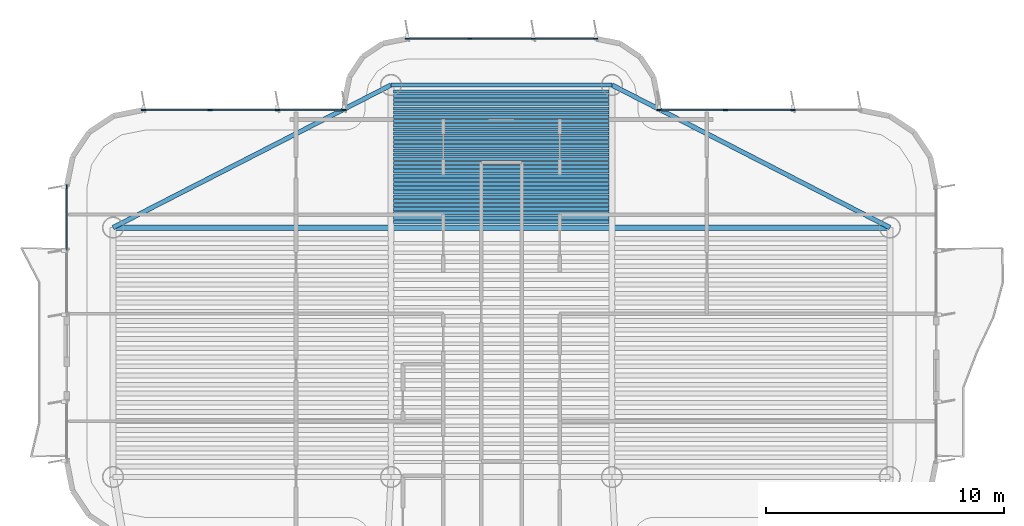
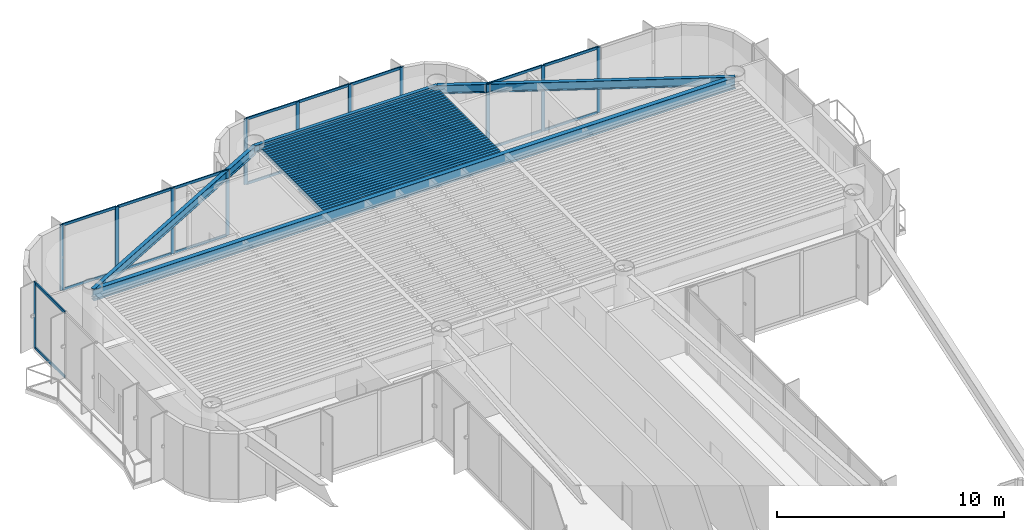
# One storey, part 7 of 15: 36 beams, 30 members, 4 elements without a shape of their own.
"""IFC4 building model written with IfcOpenShell, lengths in metres."""

from ifc_helpers import new_model, si_unit, direction, frame, origin, origin_2d, place, context, subcontext, project, spatial, rectangle, i_section, extrude, source, transform, mapped, material, layer, layer_set, material_profile, profile_set, type_object, element, aggregate, save


model = new_model("IFC4")

# Units and contexts
model_context = context("Model", 3, precision=1e-05, world=origin(), true_north=direction((0.0, 1.0)))
body_context = subcontext(model_context, "Body", "Model", "MODEL_VIEW")
ifc_project = project(units=[si_unit("LENGTHUNIT", "METRE"), si_unit("AREAUNIT", "SQUARE_METRE"), si_unit("VOLUMEUNIT", "CUBIC_METRE"), si_unit("PLANEANGLEUNIT", "RADIAN"), si_unit("MASSUNIT", "GRAM", prefix="KILO")], contexts=[model_context])

# Site, building, storey
site_placement = place(None, origin())
site = spatial("IfcSite", under=ifc_project, at=site_placement, CompositionType="ELEMENT")
building_placement = place(site_placement, origin())
building = spatial("IfcBuilding", under=site, at=building_placement, Name="Brelvock Crest Care Tower", CompositionType="ELEMENT")
storey_placement = place(building_placement, frame((0.0, 0.0, 260.820068359375)))
storey = spatial("IfcBuildingStorey", under=building, at=storey_placement, Name="L66", CompositionType="ELEMENT", Elevation=260.820068359375)

# Beams
ifc_material_1 = material(Name="Steel Grade 350", Category="steel")
ifc_material_profile_1 = material_profile(ifc_material_1, i_section(OverallWidth=0.177978515625, OverallDepth=0.406005859375, WebThickness=0.0078125, FlangeThickness=0.0126953125, FilletRadius=0.011474609375, at=origin_2d()), Name="410UB59.7")
ifc_profile_set_1 = profile_set([ifc_material_profile_1], Name="Steel Grade 350")
beam_type_1 = type_object("IfcBeamType", Name="BM-SP1", PredefinedType="SPANDREL", material=ifc_profile_set_1)
shared_shape_1 = source(origin(), body_context, "Body", "SweptSolid", [
    extrude(i_section(OverallWidth=0.177978515625, OverallDepth=0.406005859375, WebThickness=0.0078125, FlangeThickness=0.0126953125, FilletRadius=0.011474609375, at=origin_2d()), origin(), (0.0, 0.0, 1.0), 9.2998046875),
])
beam_1_placement = place(storey_placement, frame((31.35009765625, 60.449951171875, 3.326904296875), z_axis=(1.0, 0.0, 0.0), x_axis=(0.0, 1.0, 0.0)))
element("IfcBeam", 1, at=beam_1_placement, inside=storey, type_object=beam_type_1, Name="BM-TWR-L66-08", PredefinedType="SPANDREL", context=body_context, shape_type="MappedRepresentation", body=[
    mapped(shared_shape_1, transform((0.0, 0.0, 0.0), x_axis=(1.0, 0.0, 0.0), y_axis=(0.0, 1.0, 0.0), z_axis=(0.0, 0.0, 1.0), scale=1.0)),
])
ifc_material_profile_2 = material_profile(ifc_material_1, i_section(OverallWidth=0.14599609375, OverallDepth=0.256103515625, WebThickness=0.00634765625, FlangeThickness=0.010986328125, FilletRadius=0.0087890625, at=origin_2d()), Name="250UB37.3")
ifc_profile_set_2 = profile_set([ifc_material_profile_2], Name="Steel Grade 350")
beam_type_2 = type_object("IfcBeamType", Name="BM-J3", PredefinedType="JOIST", material=ifc_profile_set_2)
shared_shape_2 = source(origin(), body_context, "Body", "SweptSolid", [
    extrude(i_section(OverallWidth=0.14599609375, OverallDepth=0.256103515625, WebThickness=0.00634765625, FlangeThickness=0.010986328125, FilletRadius=0.0087890625, at=origin_2d()), origin(), (0.0, 0.0, 1.0), 9.06982421875),
])
for number, where, z_axis, x_axis, name in (
    (2, (31.465087890625, 54.68994140625, 3.40185546875), (1.0, 0.0, 0.0), (0.0, 1.0, 0.0), "BM-JN-L66-1"),
    (3, (31.465087890625, 54.866943359375, 3.40185546875), (1.0, 0.0, 0.0), (0.0, 1.0, 0.0), "BM-JN-L66-2"),
    (4, (31.465087890625, 55.0439453125, 3.40185546875), (1.0, 0.0, 0.0), (0.0, 1.0, 0.0), "BM-JN-L66-3"),
    (5, (31.465087890625, 55.220947265625, 3.40185546875), (1.0, 0.0, 0.0), (0.0, 1.0, 0.0), "BM-JN-L66-4"),
    (6, (31.465087890625, 55.39794921875, 3.40185546875), (1.0, 0.0, 0.0), (0.0, 1.0, 0.0), "BM-JN-L66-5"),
    (7, (31.465087890625, 55.574951171875, 3.40185546875), (1.0, 0.0, 0.0), (0.0, 1.0, 0.0), "BM-JN-L66-6"),
    (8, (31.465087890625, 55.751953125, 3.40185546875), (1.0, 0.0, 0.0), (0.0, 1.0, 0.0), "BM-JN-L66-7"),
    (9, (31.465087890625, 55.928955078125, 3.40185546875), (1.0, 0.0, 0.0), (0.0, 1.0, 0.0), "BM-JN-L66-8"),
    (10, (31.465087890625, 56.10595703125, 3.40185546875), (1.0, 0.0, 0.0), (0.0, 1.0, 0.0), "BM-JN-L66-9"),
    (11, (31.465087890625, 56.282958984375, 3.40185546875), (1.0, 0.0, 0.0), (0.0, 1.0, 0.0), "BM-JN-L66-10"),
    (12, (31.465087890625, 56.4599609375, 3.40185546875), (1.0, 0.0, 0.0), (0.0, 1.0, 0.0), "BM-JN-L66-11"),
    (13, (31.465087890625, 56.636962890625, 3.40185546875), (1.0, 0.0, 0.0), (0.0, 1.0, 0.0), "BM-JN-L66-12"),
    (14, (31.465087890625, 56.81396484375, 3.40185546875), (1.0, 0.0, 0.0), (0.0, 1.0, 0.0), "BM-JN-L66-13"),
):
    element("IfcBeam", number, at=place(storey_placement, frame(where, z_axis=z_axis, x_axis=x_axis)), inside=storey, type_object=beam_type_2, Name=name, PredefinedType="JOIST", context=body_context, shape_type="MappedRepresentation", body=[
        mapped(shared_shape_2, transform((0.0, 0.0, 0.0), x_axis=(1.0, 0.0, 0.0), y_axis=(0.0, 1.0, 0.0), z_axis=(0.0, 0.0, 1.0), scale=1.0)),
    ])
ifc_material_profile_3 = material_profile(ifc_material_1, i_section(OverallWidth=0.134033203125, OverallDepth=0.20703125, WebThickness=0.00634765625, FlangeThickness=0.009521484375, FilletRadius=0.0087890625, at=origin_2d()), Name="200UB29.8")
ifc_profile_set_3 = profile_set([ifc_material_profile_3], Name="Steel Grade 350")
beam_type_3 = type_object("IfcBeamType", Name="BM-J4", PredefinedType="JOIST", material=ifc_profile_set_3)
shared_shape_3 = source(origin(), body_context, "Body", "SweptSolid", [
    extrude(i_section(OverallWidth=0.134033203125, OverallDepth=0.20703125, WebThickness=0.00634765625, FlangeThickness=0.009521484375, FilletRadius=0.0087890625, at=origin_2d()), origin(), (0.0, 0.0, 1.0), 9.06982421875),
])
for number, where, z_axis, x_axis, name in (
    (15, (31.465087890625, 56.990966796875, 3.426513671875), (1.0, 0.0, 0.0), (0.0, 1.0, 0.0), "BM-JN-L66-14"),
    (16, (31.465087890625, 57.16796875, 3.426513671875), (1.0, 0.0, 0.0), (0.0, 1.0, 0.0), "BM-JN-L66-15"),
    (17, (31.465087890625, 57.344970703125, 3.426513671875), (1.0, 0.0, 0.0), (0.0, 1.0, 0.0), "BM-JN-L66-16"),
    (18, (31.465087890625, 57.52197265625, 3.426513671875), (1.0, 0.0, 0.0), (0.0, 1.0, 0.0), "BM-JN-L66-17"),
    (19, (31.465087890625, 57.698974609375, 3.426513671875), (1.0, 0.0, 0.0), (0.0, 1.0, 0.0), "BM-JN-L66-18"),
    (20, (31.465087890625, 57.8759765625, 3.426513671875), (1.0, 0.0, 0.0), (0.0, 1.0, 0.0), "BM-JN-L66-19"),
    (21, (31.465087890625, 58.052978515625, 3.426513671875), (1.0, 0.0, 0.0), (0.0, 1.0, 0.0), "BM-JN-L66-20"),
    (22, (31.465087890625, 58.22998046875, 3.426513671875), (1.0, 0.0, 0.0), (0.0, 1.0, 0.0), "BM-JN-L66-21"),
    (23, (31.465087890625, 58.406982421875, 3.426513671875), (1.0, 0.0, 0.0), (0.0, 1.0, 0.0), "BM-JN-L66-22"),
    (24, (31.465087890625, 58.583984375, 3.426513671875), (1.0, 0.0, 0.0), (0.0, 1.0, 0.0), "BM-JN-L66-23"),
    (25, (31.465087890625, 58.760986328125, 3.426513671875), (1.0, 0.0, 0.0), (0.0, 1.0, 0.0), "BM-JN-L66-24"),
    (26, (31.465087890625, 58.93798828125, 3.426513671875), (1.0, 0.0, 0.0), (0.0, 1.0, 0.0), "BM-JN-L66-25"),
    (27, (31.465087890625, 59.114990234375, 3.426513671875), (1.0, 0.0, 0.0), (0.0, 1.0, 0.0), "BM-JN-L66-26"),
    (28, (31.465087890625, 59.2919921875, 3.426513671875), (1.0, 0.0, 0.0), (0.0, 1.0, 0.0), "BM-JN-L66-27"),
    (29, (31.465087890625, 59.468994140625, 3.426513671875), (1.0, 0.0, 0.0), (0.0, 1.0, 0.0), "BM-JN-L66-28"),
    (30, (31.465087890625, 59.64599609375, 3.426513671875), (1.0, 0.0, 0.0), (0.0, 1.0, 0.0), "BM-JN-L66-29"),
    (31, (31.465087890625, 59.822998046875, 3.426513671875), (1.0, 0.0, 0.0), (0.0, 1.0, 0.0), "BM-JN-L66-30"),
    (32, (31.465087890625, 60.0, 3.426513671875), (1.0, 0.0, 0.0), (0.0, 1.0, 0.0), "BM-JN-L66-31"),
    (33, (31.465087890625, 60.177001953125, 3.426513671875), (1.0, 0.0, 0.0), (0.0, 1.0, 0.0), "BM-JN-L66-32"),
):
    element("IfcBeam", number, at=place(storey_placement, frame(where, z_axis=z_axis, x_axis=x_axis)), inside=storey, type_object=beam_type_3, Name=name, PredefinedType="JOIST", context=body_context, shape_type="MappedRepresentation", body=[
        mapped(shared_shape_3, transform((0.0, 0.0, 0.0), x_axis=(1.0, 0.0, 0.0), y_axis=(0.0, 1.0, 0.0), z_axis=(0.0, 0.0, 1.0), scale=1.0)),
    ])
ifc_material_profile_4 = material_profile(ifc_material_1, i_section(OverallWidth=0.19091796875, OverallDepth=0.4599609375, WebThickness=0.010009765625, FlangeThickness=0.01611328125, FilletRadius=0.011474609375, at=origin_2d()), Name="460UB82.1")
ifc_profile_set_4 = profile_set([ifc_material_profile_4], Name="Steel Grade 350")
beam_type_4 = type_object("IfcBeamType", Name="BM-SP2", PredefinedType="SPANDREL", material=ifc_profile_set_4)
shared_shape_4 = source(origin(), body_context, "Body", "SweptSolid", [
    extrude(i_section(OverallWidth=0.19091796875, OverallDepth=0.4599609375, WebThickness=0.010009765625, FlangeThickness=0.01611328125, FilletRadius=0.011474609375, at=origin_2d()), origin(), (0.0, 0.0, 1.0), 13.14892578125),
])
for number, where, z_axis, x_axis, name in (
    (34, (19.64990234375, 54.449951171875, 3.300048828125), (0.889820555736, 0.456310616346, 0.0), (-0.456310616346, 0.889820555736, 0.0), "BM-TWR-L66-06"),
    (35, (40.64990234375, 60.449951171875, 3.300048828125), (0.889820555736, -0.456310616346, 0.0), (0.456310616346, 0.889820555736, 0.0), "BM-TWR-L66-07"),
):
    element("IfcBeam", number, at=place(storey_placement, frame(where, z_axis=z_axis, x_axis=x_axis)), inside=storey, type_object=beam_type_4, Name=name, PredefinedType="SPANDREL", context=body_context, shape_type="MappedRepresentation", body=[
        mapped(shared_shape_4, transform((0.0, 0.0, 0.0), x_axis=(1.0, 0.0, 0.0), y_axis=(0.0, 1.0, 0.0), z_axis=(0.0, 0.0, 1.0), scale=1.0)),
    ])
ifc_material_profile_5 = material_profile(ifc_material_1, i_section(OverallWidth=0.22900390625, OverallDepth=0.612060546875, WebThickness=0.011962890625, FlangeThickness=0.01953125, FilletRadius=0.013916015625, at=origin_2d()), Name="610UB125")
ifc_profile_set_5 = profile_set([ifc_material_profile_5], Name="Steel Grade 350")
beam_type_5 = type_object("IfcBeamType", Name="BM-G1", PredefinedType="BEAM", material=ifc_profile_set_5)
shared_shape_5 = source(origin(), body_context, "Body", "SweptSolid", [
    extrude(i_section(OverallWidth=0.22900390625, OverallDepth=0.612060546875, WebThickness=0.011962890625, FlangeThickness=0.01953125, FilletRadius=0.013916015625, at=origin_2d()), origin(), (0.0, 0.0, 1.0), 32.7001953125),
])
beam_2_placement = place(storey_placement, frame((19.64990234375, 54.449951171875, 3.223876953125), z_axis=(1.0, 0.0, 0.0), x_axis=(0.0, 1.0, 0.0)))
element("IfcBeam", 36, at=beam_2_placement, inside=storey, type_object=beam_type_5, Name="BM-TWR-L66-11", PredefinedType="BEAM", context=body_context, shape_type="MappedRepresentation", body=[
    mapped(shared_shape_5, transform((0.0, 0.0, 0.0), x_axis=(1.0, 0.0, 0.0), y_axis=(0.0, 1.0, 0.0), z_axis=(0.0, 0.0, 1.0), scale=1.0)),
])

# Curtain wall, member
ifc_material_2 = material(Name="Dark Glass Double Glazed Low-E", Category="glass")
ifc_layer = layer(ifc_material_2, 0.239990234375, Name="CWS-5")
ifc_layer_set = layer_set([ifc_layer], Name="Dark Glass Double Glazed Low-E")
curtain_wall_type = type_object("IfcCurtainWallType", Name="CWS-5", PredefinedType="NOTDEFINED", material=ifc_layer_set)
curtain_wall_1_placement = place(storey_placement, origin())
curtain_wall_1 = element("IfcCurtainWall", 37, at=curtain_wall_1_placement, inside=storey, type_object=curtain_wall_type, Name="L66 Curtain Wall E17B", PredefinedType="NOTDEFINED")
ifc_material_3 = material(Name="Aluminium 6063-T6", Category="aluminium")
ifc_material_profile_6 = material_profile(ifc_material_3, rectangle(XDim=0.06005859375, YDim=0.179931640625, at=origin_2d()), Name="ALU60x180")
ifc_profile_set_6 = profile_set([ifc_material_profile_6], Name="Aluminium 6063-T6")
member_type_1 = type_object("IfcMemberType", Name="CWM-2", PredefinedType="MULLION", material=ifc_profile_set_6)
shared_shape_6 = source(origin(), body_context, "Body", "SweptSolid", [
    extrude(rectangle(XDim=0.06005859375, YDim=0.179931640625, at=origin_2d()), origin(), (0.0, 0.0, 1.0), 3.530029296875),
])
member_1_placement = place(storey_placement, frame((17.699951171875, 56.169921875, 0.0), z_axis=(0.0, 0.0, 1.0), x_axis=(-1.0, 0.0, 0.0)))
member_1 = element("IfcMember", 38, at=member_1_placement, type_object=member_type_1, Name="CW-5 mullion 3", PredefinedType="MULLION", context=body_context, shape_type="MappedRepresentation", body=[
    mapped(shared_shape_6, transform((0.0, 0.0, 0.0), x_axis=(1.0, 0.0, 0.0), y_axis=(0.0, 1.0, 0.0), z_axis=(0.0, 0.0, 1.0), scale=1.0)),
])

# Curtain wall, members
curtain_wall_2_placement = place(storey_placement, origin())
curtain_wall_2 = element("IfcCurtainWall", 39, at=curtain_wall_2_placement, inside=storey, type_object=curtain_wall_type, Name="L66 Curtain Wall E22", PredefinedType="NOTDEFINED")
member_2_placement = place(storey_placement, frame((20.929931640625, 59.39990234375, 0.0), z_axis=(0.0, 0.0, 1.0), x_axis=(0.0, 1.0, 0.0)))
member_2 = element("IfcMember", 40, at=member_2_placement, type_object=member_type_1, Name="CW-5 mullion 1", PredefinedType="MULLION", context=body_context, shape_type="MappedRepresentation", body=[
    mapped(shared_shape_6, transform((0.0, 0.0, 0.0), x_axis=(1.0, 0.0, 0.0), y_axis=(0.0, 1.0, 0.0), z_axis=(0.0, 0.0, 1.0), scale=1.0)),
])
member_3_placement = place(storey_placement, frame((23.7333984375, 59.39990234375, 0.0), z_axis=(0.0, 0.0, 1.0), x_axis=(0.0, 1.0, 0.0)))
member_3 = element("IfcMember", 41, at=member_3_placement, type_object=member_type_1, Name="CW-5 mullion 2", PredefinedType="MULLION", context=body_context, shape_type="MappedRepresentation", body=[
    mapped(shared_shape_6, transform((0.0, 0.0, 0.0), x_axis=(1.0, 0.0, 0.0), y_axis=(0.0, 1.0, 0.0), z_axis=(0.0, 0.0, 1.0), scale=1.0)),
])
member_4_placement = place(storey_placement, frame((26.566650390625, 59.39990234375, 0.0), z_axis=(0.0, 0.0, 1.0), x_axis=(0.0, 1.0, 0.0)))
member_4 = element("IfcMember", 42, at=member_4_placement, type_object=member_type_1, Name="CW-5 mullion 3", PredefinedType="MULLION", context=body_context, shape_type="MappedRepresentation", body=[
    mapped(shared_shape_6, transform((0.0, 0.0, 0.0), x_axis=(1.0, 0.0, 0.0), y_axis=(0.0, 1.0, 0.0), z_axis=(0.0, 0.0, 1.0), scale=1.0)),
])
member_5_placement = place(storey_placement, frame((29.3701171875, 59.39990234375, 0.0), z_axis=(0.0, 0.0, 1.0), x_axis=(0.0, 1.0, 0.0)))
member_5 = element("IfcMember", 43, at=member_5_placement, type_object=member_type_1, Name="CW-5 mullion 4", PredefinedType="MULLION", context=body_context, shape_type="MappedRepresentation", body=[
    mapped(shared_shape_6, transform((0.0, 0.0, 0.0), x_axis=(1.0, 0.0, 0.0), y_axis=(0.0, 1.0, 0.0), z_axis=(0.0, 0.0, 1.0), scale=1.0)),
])

curtain_wall_3_placement = place(storey_placement, origin())
curtain_wall_3 = element("IfcCurtainWall", 44, at=curtain_wall_3_placement, inside=storey, type_object=curtain_wall_type, Name="L66 Curtain Wall E28", PredefinedType="NOTDEFINED")
member_6_placement = place(storey_placement, frame((32.030029296875, 62.39990234375, 0.0), z_axis=(0.0, 0.0, 1.0), x_axis=(0.0, 1.0, 0.0)))
member_6 = element("IfcMember", 45, at=member_6_placement, type_object=member_type_1, Name="CW-5 mullion 1", PredefinedType="MULLION", context=body_context, shape_type="MappedRepresentation", body=[
    mapped(shared_shape_6, transform((0.0, 0.0, 0.0), x_axis=(1.0, 0.0, 0.0), y_axis=(0.0, 1.0, 0.0), z_axis=(0.0, 0.0, 1.0), scale=1.0)),
])
member_7_placement = place(storey_placement, frame((34.666748046875, 62.39990234375, 0.0), z_axis=(0.0, 0.0, 1.0), x_axis=(0.0, 1.0, 0.0)))
member_7 = element("IfcMember", 46, at=member_7_placement, type_object=member_type_1, Name="CW-5 mullion 2", PredefinedType="MULLION", context=body_context, shape_type="MappedRepresentation", body=[
    mapped(shared_shape_6, transform((0.0, 0.0, 0.0), x_axis=(1.0, 0.0, 0.0), y_axis=(0.0, 1.0, 0.0), z_axis=(0.0, 0.0, 1.0), scale=1.0)),
])
member_8_placement = place(storey_placement, frame((37.333251953125, 62.39990234375, 0.0), z_axis=(0.0, 0.0, 1.0), x_axis=(0.0, 1.0, 0.0)))
member_8 = element("IfcMember", 47, at=member_8_placement, type_object=member_type_1, Name="CW-5 mullion 3", PredefinedType="MULLION", context=body_context, shape_type="MappedRepresentation", body=[
    mapped(shared_shape_6, transform((0.0, 0.0, 0.0), x_axis=(1.0, 0.0, 0.0), y_axis=(0.0, 1.0, 0.0), z_axis=(0.0, 0.0, 1.0), scale=1.0)),
])
member_9_placement = place(storey_placement, frame((39.969970703125, 62.39990234375, 0.0), z_axis=(0.0, 0.0, 1.0), x_axis=(0.0, 1.0, 0.0)))
member_9 = element("IfcMember", 48, at=member_9_placement, type_object=member_type_1, Name="CW-5 mullion 4", PredefinedType="MULLION", context=body_context, shape_type="MappedRepresentation", body=[
    mapped(shared_shape_6, transform((0.0, 0.0, 0.0), x_axis=(1.0, 0.0, 0.0), y_axis=(0.0, 1.0, 0.0), z_axis=(0.0, 0.0, 1.0), scale=1.0)),
])

curtain_wall_4_placement = place(storey_placement, origin())
curtain_wall_4 = element("IfcCurtainWall", 49, at=curtain_wall_4_placement, inside=storey, type_object=curtain_wall_type, Name="L66 Curtain Wall E34", PredefinedType="NOTDEFINED")
member_10_placement = place(storey_placement, frame((42.6298828125, 59.39990234375, 0.0), z_axis=(0.0, 0.0, 1.0), x_axis=(0.0, 1.0, 0.0)))
member_10 = element("IfcMember", 50, at=member_10_placement, type_object=member_type_1, Name="CW-5 mullion 1", PredefinedType="MULLION", context=body_context, shape_type="MappedRepresentation", body=[
    mapped(shared_shape_6, transform((0.0, 0.0, 0.0), x_axis=(1.0, 0.0, 0.0), y_axis=(0.0, 1.0, 0.0), z_axis=(0.0, 0.0, 1.0), scale=1.0)),
])
member_11_placement = place(storey_placement, frame((45.433349609375, 59.39990234375, 0.0), z_axis=(0.0, 0.0, 1.0), x_axis=(0.0, 1.0, 0.0)))
member_11 = element("IfcMember", 51, at=member_11_placement, type_object=member_type_1, Name="CW-5 mullion 2", PredefinedType="MULLION", context=body_context, shape_type="MappedRepresentation", body=[
    mapped(shared_shape_6, transform((0.0, 0.0, 0.0), x_axis=(1.0, 0.0, 0.0), y_axis=(0.0, 1.0, 0.0), z_axis=(0.0, 0.0, 1.0), scale=1.0)),
])
member_12_placement = place(storey_placement, frame((48.2666015625, 59.39990234375, 0.0), z_axis=(0.0, 0.0, 1.0), x_axis=(0.0, 1.0, 0.0)))
member_12 = element("IfcMember", 52, at=member_12_placement, type_object=member_type_1, Name="CW-5 mullion 3", PredefinedType="MULLION", context=body_context, shape_type="MappedRepresentation", body=[
    mapped(shared_shape_6, transform((0.0, 0.0, 0.0), x_axis=(1.0, 0.0, 0.0), y_axis=(0.0, 1.0, 0.0), z_axis=(0.0, 0.0, 1.0), scale=1.0)),
])

# Member
ifc_material_profile_7 = material_profile(ifc_material_3, rectangle(XDim=0.06005859375, YDim=0.139892578125, at=origin_2d()), Name="ALU60x140")
ifc_profile_set_7 = profile_set([ifc_material_profile_7], Name="Aluminium 6063-T6")
member_type_2 = type_object("IfcMemberType", Name="CWT-2", PredefinedType="USERDEFINED", material=ifc_profile_set_7)
shared_shape_7 = source(origin(), body_context, "Body", "SweptSolid", [
    extrude(rectangle(XDim=0.06005859375, YDim=0.139892578125, at=origin_2d()), origin(), (0.0, 0.0, 1.0), 2.57666015625),
])
member_13_placement = place(storey_placement, frame((32.06005859375, 62.39990234375, 0.030029296875), z_axis=(1.0, 0.0, 0.0), x_axis=(0.0, 1.0, 0.0)))
member_13 = element("IfcMember", 53, at=member_13_placement, type_object=member_type_2, Name="CW-5 transom 1.1", ObjectType="TRANSOM", PredefinedType="USERDEFINED", context=body_context, shape_type="MappedRepresentation", body=[
    mapped(shared_shape_7, transform((0.0, 0.0, 0.0), x_axis=(1.0, 0.0, 0.0), y_axis=(0.0, 1.0, 0.0), z_axis=(0.0, 0.0, 1.0), scale=1.0)),
])

member_14_placement = place(storey_placement, frame((32.06005859375, 62.39990234375, 3.5), z_axis=(1.0, 0.0, 0.0), x_axis=(0.0, 1.0, 0.0)))
member_14 = element("IfcMember", 54, at=member_14_placement, type_object=member_type_2, Name="CW-5 transom 1.2", ObjectType="TRANSOM", PredefinedType="USERDEFINED", context=body_context, shape_type="MappedRepresentation", body=[
    mapped(shared_shape_7, transform((0.0, 0.0, 0.0), x_axis=(1.0, 0.0, 0.0), y_axis=(0.0, 1.0, 0.0), z_axis=(0.0, 0.0, 1.0), scale=1.0)),
])

member_15_placement = place(storey_placement, frame((37.36328125, 62.39990234375, 0.030029296875), z_axis=(1.0, 0.0, 0.0), x_axis=(0.0, 1.0, 0.0)))
member_15 = element("IfcMember", 55, at=member_15_placement, type_object=member_type_2, Name="CW-5 transom 3.1", ObjectType="TRANSOM", PredefinedType="USERDEFINED", context=body_context, shape_type="MappedRepresentation", body=[
    mapped(shared_shape_7, transform((0.0, 0.0, 0.0), x_axis=(1.0, 0.0, 0.0), y_axis=(0.0, 1.0, 0.0), z_axis=(0.0, 0.0, 1.0), scale=1.0)),
])

member_16_placement = place(storey_placement, frame((37.36328125, 62.39990234375, 3.5), z_axis=(1.0, 0.0, 0.0), x_axis=(0.0, 1.0, 0.0)))
member_16 = element("IfcMember", 56, at=member_16_placement, type_object=member_type_2, Name="CW-5 transom 3.2", ObjectType="TRANSOM", PredefinedType="USERDEFINED", context=body_context, shape_type="MappedRepresentation", body=[
    mapped(shared_shape_7, transform((0.0, 0.0, 0.0), x_axis=(1.0, 0.0, 0.0), y_axis=(0.0, 1.0, 0.0), z_axis=(0.0, 0.0, 1.0), scale=1.0)),
])

shared_shape_8 = source(origin(), body_context, "Body", "SweptSolid", [
    extrude(rectangle(XDim=0.06005859375, YDim=0.139892578125, at=origin_2d()), origin(), (0.0, 0.0, 1.0), 2.743408203125),
])
member_17_placement = place(storey_placement, frame((20.9599609375, 59.39990234375, 0.030029296875), z_axis=(1.0, 0.0, 0.0), x_axis=(0.0, 1.0, 0.0)))
member_17 = element("IfcMember", 57, at=member_17_placement, type_object=member_type_2, Name="CW-5 transom 1.1", ObjectType="TRANSOM", PredefinedType="USERDEFINED", context=body_context, shape_type="MappedRepresentation", body=[
    mapped(shared_shape_8, transform((0.0, 0.0, 0.0), x_axis=(1.0, 0.0, 0.0), y_axis=(0.0, 1.0, 0.0), z_axis=(0.0, 0.0, 1.0), scale=1.0)),
])

member_18_placement = place(storey_placement, frame((20.9599609375, 59.39990234375, 3.5), z_axis=(1.0, 0.0, 0.0), x_axis=(0.0, 1.0, 0.0)))
member_18 = element("IfcMember", 58, at=member_18_placement, type_object=member_type_2, Name="CW-5 transom 1.2", ObjectType="TRANSOM", PredefinedType="USERDEFINED", context=body_context, shape_type="MappedRepresentation", body=[
    mapped(shared_shape_8, transform((0.0, 0.0, 0.0), x_axis=(1.0, 0.0, 0.0), y_axis=(0.0, 1.0, 0.0), z_axis=(0.0, 0.0, 1.0), scale=1.0)),
])

member_19_placement = place(storey_placement, frame((26.5966796875, 59.39990234375, 0.030029296875), z_axis=(1.0, 0.0, 0.0), x_axis=(0.0, 1.0, 0.0)))
member_19 = element("IfcMember", 59, at=member_19_placement, type_object=member_type_2, Name="CW-5 transom 3.1", ObjectType="TRANSOM", PredefinedType="USERDEFINED", context=body_context, shape_type="MappedRepresentation", body=[
    mapped(shared_shape_8, transform((0.0, 0.0, 0.0), x_axis=(1.0, 0.0, 0.0), y_axis=(0.0, 1.0, 0.0), z_axis=(0.0, 0.0, 1.0), scale=1.0)),
])

member_20_placement = place(storey_placement, frame((26.5966796875, 59.39990234375, 3.5), z_axis=(1.0, 0.0, 0.0), x_axis=(0.0, 1.0, 0.0)))
member_20 = element("IfcMember", 60, at=member_20_placement, type_object=member_type_2, Name="CW-5 transom 3.2", ObjectType="TRANSOM", PredefinedType="USERDEFINED", context=body_context, shape_type="MappedRepresentation", body=[
    mapped(shared_shape_8, transform((0.0, 0.0, 0.0), x_axis=(1.0, 0.0, 0.0), y_axis=(0.0, 1.0, 0.0), z_axis=(0.0, 0.0, 1.0), scale=1.0)),
])

member_21_placement = place(storey_placement, frame((42.659912109375, 59.39990234375, 0.030029296875), z_axis=(1.0, 0.0, 0.0), x_axis=(0.0, 1.0, 0.0)))
member_21 = element("IfcMember", 61, at=member_21_placement, type_object=member_type_2, Name="CW-5 transom 1.1", ObjectType="TRANSOM", PredefinedType="USERDEFINED", context=body_context, shape_type="MappedRepresentation", body=[
    mapped(shared_shape_8, transform((0.0, 0.0, 0.0), x_axis=(1.0, 0.0, 0.0), y_axis=(0.0, 1.0, 0.0), z_axis=(0.0, 0.0, 1.0), scale=1.0)),
])

member_22_placement = place(storey_placement, frame((42.659912109375, 59.39990234375, 3.5), z_axis=(1.0, 0.0, 0.0), x_axis=(0.0, 1.0, 0.0)))
member_22 = element("IfcMember", 62, at=member_22_placement, type_object=member_type_2, Name="CW-5 transom 1.2", ObjectType="TRANSOM", PredefinedType="USERDEFINED", context=body_context, shape_type="MappedRepresentation", body=[
    mapped(shared_shape_8, transform((0.0, 0.0, 0.0), x_axis=(1.0, 0.0, 0.0), y_axis=(0.0, 1.0, 0.0), z_axis=(0.0, 0.0, 1.0), scale=1.0)),
])

shared_shape_9 = source(origin(), body_context, "Body", "SweptSolid", [
    extrude(rectangle(XDim=0.06005859375, YDim=0.139892578125, at=origin_2d()), origin(), (0.0, 0.0, 1.0), 2.773193359375),
])
member_23_placement = place(storey_placement, frame((23.763427734375, 59.39990234375, 0.030029296875), z_axis=(1.0, 0.0, 0.0), x_axis=(0.0, 1.0, 0.0)))
member_23 = element("IfcMember", 63, at=member_23_placement, type_object=member_type_2, Name="CW-5 transom 2.1", ObjectType="TRANSOM", PredefinedType="USERDEFINED", context=body_context, shape_type="MappedRepresentation", body=[
    mapped(shared_shape_9, transform((0.0, 0.0, 0.0), x_axis=(1.0, 0.0, 0.0), y_axis=(0.0, 1.0, 0.0), z_axis=(0.0, 0.0, 1.0), scale=1.0)),
])

member_24_placement = place(storey_placement, frame((23.763427734375, 59.39990234375, 3.5), z_axis=(1.0, 0.0, 0.0), x_axis=(0.0, 1.0, 0.0)))
member_24 = element("IfcMember", 64, at=member_24_placement, type_object=member_type_2, Name="CW-5 transom 2.2", ObjectType="TRANSOM", PredefinedType="USERDEFINED", context=body_context, shape_type="MappedRepresentation", body=[
    mapped(shared_shape_9, transform((0.0, 0.0, 0.0), x_axis=(1.0, 0.0, 0.0), y_axis=(0.0, 1.0, 0.0), z_axis=(0.0, 0.0, 1.0), scale=1.0)),
])

aggregate(curtain_wall_2, [member_2, member_3, member_4, member_5, member_17, member_18, member_23, member_24, member_19, member_20])

member_25_placement = place(storey_placement, frame((45.46337890625, 59.39990234375, 0.030029296875), z_axis=(1.0, 0.0, 0.0), x_axis=(0.0, 1.0, 0.0)))
member_25 = element("IfcMember", 65, at=member_25_placement, type_object=member_type_2, Name="CW-5 transom 2.1", ObjectType="TRANSOM", PredefinedType="USERDEFINED", context=body_context, shape_type="MappedRepresentation", body=[
    mapped(shared_shape_9, transform((0.0, 0.0, 0.0), x_axis=(1.0, 0.0, 0.0), y_axis=(0.0, 1.0, 0.0), z_axis=(0.0, 0.0, 1.0), scale=1.0)),
])

member_26_placement = place(storey_placement, frame((45.46337890625, 59.39990234375, 3.5), z_axis=(1.0, 0.0, 0.0), x_axis=(0.0, 1.0, 0.0)))
member_26 = element("IfcMember", 66, at=member_26_placement, type_object=member_type_2, Name="CW-5 transom 2.2", ObjectType="TRANSOM", PredefinedType="USERDEFINED", context=body_context, shape_type="MappedRepresentation", body=[
    mapped(shared_shape_9, transform((0.0, 0.0, 0.0), x_axis=(1.0, 0.0, 0.0), y_axis=(0.0, 1.0, 0.0), z_axis=(0.0, 0.0, 1.0), scale=1.0)),
])

aggregate(curtain_wall_4, [member_10, member_11, member_12, member_21, member_22, member_25, member_26])

shared_shape_10 = source(origin(), body_context, "Body", "SweptSolid", [
    extrude(rectangle(XDim=0.06005859375, YDim=0.139892578125, at=origin_2d()), origin(), (0.0, 0.0, 1.0), 2.6064453125),
])
member_27_placement = place(storey_placement, frame((34.69677734375, 62.39990234375, 0.030029296875), z_axis=(1.0, 0.0, 0.0), x_axis=(0.0, 1.0, 0.0)))
member_27 = element("IfcMember", 67, at=member_27_placement, type_object=member_type_2, Name="CW-5 transom 2.1", ObjectType="TRANSOM", PredefinedType="USERDEFINED", context=body_context, shape_type="MappedRepresentation", body=[
    mapped(shared_shape_10, transform((0.0, 0.0, 0.0), x_axis=(1.0, 0.0, 0.0), y_axis=(0.0, 1.0, 0.0), z_axis=(0.0, 0.0, 1.0), scale=1.0)),
])

member_28_placement = place(storey_placement, frame((34.69677734375, 62.39990234375, 3.5), z_axis=(1.0, 0.0, 0.0), x_axis=(0.0, 1.0, 0.0)))
member_28 = element("IfcMember", 68, at=member_28_placement, type_object=member_type_2, Name="CW-5 transom 2.2", ObjectType="TRANSOM", PredefinedType="USERDEFINED", context=body_context, shape_type="MappedRepresentation", body=[
    mapped(shared_shape_10, transform((0.0, 0.0, 0.0), x_axis=(1.0, 0.0, 0.0), y_axis=(0.0, 1.0, 0.0), z_axis=(0.0, 0.0, 1.0), scale=1.0)),
])

aggregate(curtain_wall_3, [member_6, member_7, member_8, member_9, member_13, member_14, member_27, member_28, member_15, member_16])

shared_shape_11 = source(origin(), body_context, "Body", "SweptSolid", [
    extrude(rectangle(XDim=0.06005859375, YDim=0.139892578125, at=origin_2d()), origin(), (0.0, 0.0, 1.0), 2.635009765625),
])
member_29_placement = place(storey_placement, frame((17.699951171875, 53.5048828125, 0.030029296875), z_axis=(0.0, 1.0, 0.0), x_axis=(-1.0, 0.0, 0.0)))
member_29 = element("IfcMember", 69, at=member_29_placement, type_object=member_type_2, Name="CW-5 transom 2.1", ObjectType="TRANSOM", PredefinedType="USERDEFINED", context=body_context, shape_type="MappedRepresentation", body=[
    mapped(shared_shape_11, transform((0.0, 0.0, 0.0), x_axis=(1.0, 0.0, 0.0), y_axis=(0.0, 1.0, 0.0), z_axis=(0.0, 0.0, 1.0), scale=1.0)),
])

member_30_placement = place(storey_placement, frame((17.699951171875, 53.5048828125, 3.5), z_axis=(0.0, 1.0, 0.0), x_axis=(-1.0, 0.0, 0.0)))
member_30 = element("IfcMember", 70, at=member_30_placement, type_object=member_type_2, Name="CW-5 transom 2.2", ObjectType="TRANSOM", PredefinedType="USERDEFINED", context=body_context, shape_type="MappedRepresentation", body=[
    mapped(shared_shape_11, transform((0.0, 0.0, 0.0), x_axis=(1.0, 0.0, 0.0), y_axis=(0.0, 1.0, 0.0), z_axis=(0.0, 0.0, 1.0), scale=1.0)),
])

aggregate(curtain_wall_1, [member_1, member_29, member_30])

save(model, "model.ifc")
